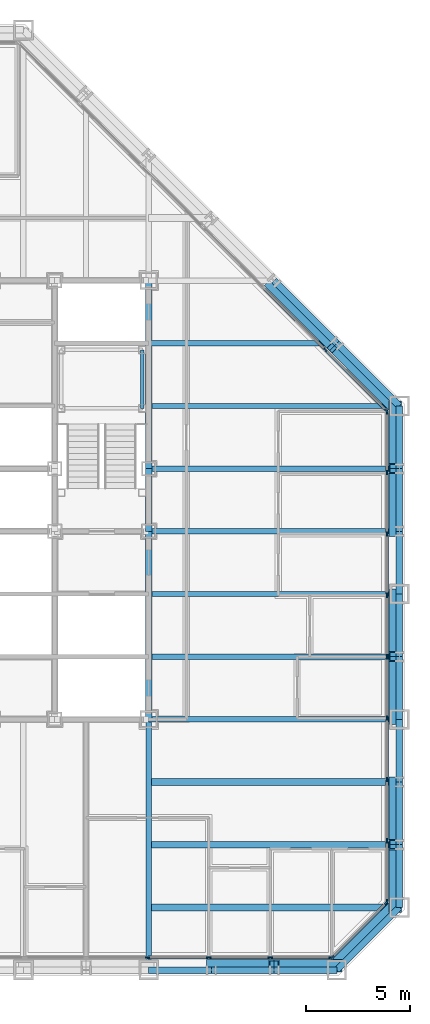
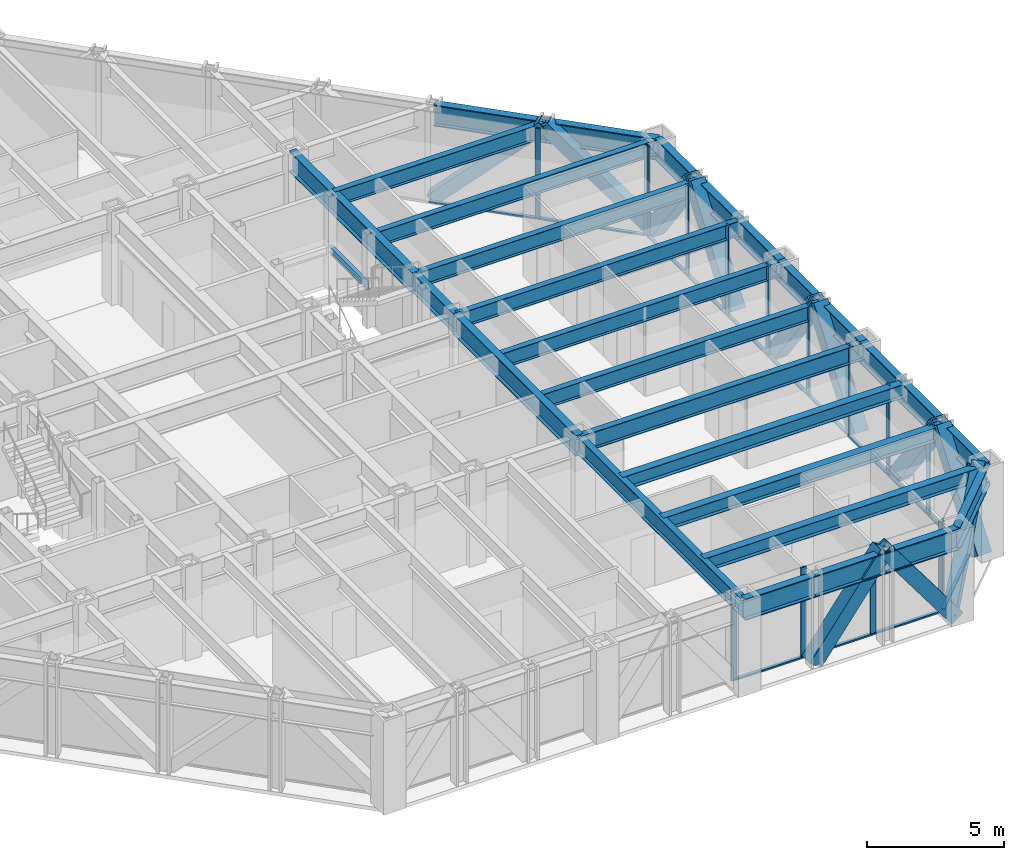
# One storey, part 6 of 16: 42 members, 29 beams, 4 elements without a shape of their own.
"""IFC4 building model written with IfcOpenShell, lengths in metres."""

from ifc_helpers import new_model, si_unit, direction, frame, origin, origin_2d, place, context, subcontext, project, spatial, rectangle, hollow_rectangle, i_section, extrude, material, layer, layer_set, material_profile, profile_set, type_object, element, aggregate, save


model = new_model("IFC4")

# Units and contexts
model_context = context("Model", 3, precision=1e-05, world=origin(), true_north=direction((0.0, 1.0)))
body_context = subcontext(model_context, "Body", "Model", "MODEL_VIEW")
ifc_project = project(units=[si_unit("LENGTHUNIT", "METRE"), si_unit("AREAUNIT", "SQUARE_METRE"), si_unit("VOLUMEUNIT", "CUBIC_METRE"), si_unit("PLANEANGLEUNIT", "RADIAN"), si_unit("MASSUNIT", "GRAM", prefix="KILO")], contexts=[model_context])

# Site, building, storey
site_placement = place(None, origin())
site = spatial("IfcSite", under=ifc_project, at=site_placement, CompositionType="ELEMENT")
building_placement = place(site_placement, origin())
building = spatial("IfcBuilding", under=site, at=building_placement, Name="Chuquiago Exchange Tower", CompositionType="ELEMENT")
storey_placement = place(building_placement, frame((0.0, 0.0, 123.60009765625)))
storey = spatial("IfcBuildingStorey", under=building, at=storey_placement, Name="L26", CompositionType="ELEMENT", Elevation=123.60009765625)

# Beams
ifc_material_1 = material(Name="Steel ASTM A992", Category="steel")
ifc_material_profile_1 = material_profile(ifc_material_1, i_section(OverallWidth=0.25390625, OverallDepth=0.683349609375, WebThickness=0.012451171875, FlangeThickness=0.018798828125, at=origin_2d()), Name="W27X94")
ifc_profile_set_1 = profile_set([ifc_material_profile_1], Name="Steel ASTM A992")
beam_type_1 = type_object("IfcBeamType", Name="B1 W27X94", PredefinedType="BEAM", material=ifc_profile_set_1)
for number, where, z_axis, x_axis, name in (
    (1, (33.0, 15.0, 3.6982421875), (1.0, 0.0, 0.0), (0.0, 1.0, 0.0), "FB-L27-infill-33_15-45_15-0"),
    (2, (33.0, 18.0, 3.6982421875), (1.0, 0.0, 0.0), (0.0, 1.0, 0.0), "FB-L27-infill-33_18-45_18-0"),
    (3, (33.0, 21.0, 3.6982421875), (1.0, 0.0, 0.0), (0.0, 1.0, 0.0), "FB-L27-infill-33_21-45_21-0"),
    (4, (33.0, 24.0, 3.6982421875), (1.0, 0.0, 0.0), (0.0, 1.0, 0.0), "FB-L27-infill-33_24-45_24-0"),
    (5, (33.0, 27.0, 3.6982421875), (1.0, 0.0, 0.0), (0.0, 1.0, 0.0), "FB-L27-infill-33_27-45_27-0"),
):
    element("IfcBeam", number, at=place(storey_placement, frame(where, z_axis=z_axis, x_axis=x_axis)), inside=storey, type_object=beam_type_1, Name=name, PredefinedType="BEAM", context=body_context, shape_type="SweptSolid", body=[
        extrude(i_section(OverallWidth=0.25390625, OverallDepth=0.683349609375, WebThickness=0.012451171875, FlangeThickness=0.018798828125, at=origin_2d()), origin(), (0.0, 0.0, 1.0), 12.0),
    ])
beam_1_placement = place(storey_placement, frame((33.0, 30.0, 3.6982421875), z_axis=(1.0, 0.0, 0.0), x_axis=(0.0, 1.0, 0.0)))
element("IfcBeam", 6, at=beam_1_placement, inside=storey, type_object=beam_type_1, Name="FB-L27-infill-33_30-42_30-0", PredefinedType="BEAM", context=body_context, shape_type="SweptSolid", body=[
    extrude(i_section(OverallWidth=0.25390625, OverallDepth=0.683349609375, WebThickness=0.012451171875, FlangeThickness=0.018798828125, at=origin_2d()), origin(), (0.0, 0.0, 1.0), 9.0),
])
ifc_material_2 = material(Name="Steel ASTM A992", Category="steel")
ifc_material_profile_2 = material_profile(ifc_material_2, i_section(OverallWidth=0.307373046875, OverallDepth=0.927001953125, WebThickness=0.01953125, FlangeThickness=0.031982421875, at=origin_2d()), Name="W36X194")
ifc_profile_set_2 = profile_set([ifc_material_profile_2], Name="Steel ASTM A992")
beam_type_2 = type_object("IfcBeamType", Name="B10 W36X194", PredefinedType="BEAM", material=ifc_profile_set_2)
for number, where, z_axis, x_axis, name in (
    (7, (33.0, 12.0, 3.576416015625), (0.0, 1.0, 0.0), (-1.0, 0.0, 0.0), "CB-L27-33_12-33_21"),
    (8, (33.0, 24.0, 3.576416015625), (0.0, 1.0, 0.0), (-1.0, 0.0, 0.0), "CB-L27-33_24-33_33"),
):
    element("IfcBeam", number, at=place(storey_placement, frame(where, z_axis=z_axis, x_axis=x_axis)), inside=storey, type_object=beam_type_2, Name=name, PredefinedType="BEAM", context=body_context, shape_type="SweptSolid", body=[
        extrude(i_section(OverallWidth=0.307373046875, OverallDepth=0.927001953125, WebThickness=0.01953125, FlangeThickness=0.031982421875, at=origin_2d()), origin(), (0.0, 0.0, 1.0), 9.0),
    ])
ifc_material_3 = material(Name="Steel ASTM A992", Category="steel")
ifc_material_profile_3 = material_profile(ifc_material_3, i_section(OverallWidth=0.3251953125, OverallDepth=0.612060546875, WebThickness=0.0126953125, FlangeThickness=0.01904296875, at=origin_2d()), Name="W24X104")
ifc_profile_set_3 = profile_set([ifc_material_profile_3], Name="Steel ASTM A992")
beam_type_3 = type_object("IfcBeamType", Name="B2 W24X104", PredefinedType="BEAM", material=ifc_profile_set_3)
for number, where, z_axis, x_axis, name in (
    (9, (33.0, 3.0, 3.73388671875), (1.0, 0.0, 0.0), (0.0, 1.0, 0.0), "FB-L27-corner-33_3-45_3-0"),
    (10, (33.0, 6.0, 3.73388671875), (1.0, 0.0, 0.0), (0.0, 1.0, 0.0), "FB-L27-corner-33_6-45_6-0"),
    (11, (33.0, 9.0, 3.73388671875), (1.0, 0.0, 0.0), (0.0, 1.0, 0.0), "FB-L27-corner-33_9-45_9-0"),
):
    element("IfcBeam", number, at=place(storey_placement, frame(where, z_axis=z_axis, x_axis=x_axis)), inside=storey, type_object=beam_type_3, Name=name, PredefinedType="BEAM", context=body_context, shape_type="SweptSolid", body=[
        extrude(i_section(OverallWidth=0.3251953125, OverallDepth=0.612060546875, WebThickness=0.0126953125, FlangeThickness=0.01904296875, at=origin_2d()), origin(), (0.0, 0.0, 1.0), 12.0),
    ])
ifc_material_4 = material(Name="Steel ASTM A992", Category="steel")
ifc_material_profile_4 = material_profile(ifc_material_4, i_section(OverallWidth=0.2919921875, OverallDepth=0.8583984375, WebThickness=0.01708984375, FlangeThickness=0.031005859375, at=origin_2d()), Name="W33X169")
ifc_profile_set_4 = profile_set([ifc_material_profile_4], Name="Steel ASTM A992")
beam_type_4 = type_object("IfcBeamType", Name="B3 W33X169", PredefinedType="BEAM", material=ifc_profile_set_4)
beam_2_placement = place(storey_placement, frame((33.0, 21.0, 3.610595703125), z_axis=(0.0, 1.0, 0.0), x_axis=(-1.0, 0.0, 0.0)))
element("IfcBeam", 12, at=beam_2_placement, inside=storey, type_object=beam_type_4, Name="CB-L27-33_21-33_24", PredefinedType="BEAM", context=body_context, shape_type="SweptSolid", body=[
    extrude(i_section(OverallWidth=0.2919921875, OverallDepth=0.8583984375, WebThickness=0.01708984375, FlangeThickness=0.031005859375, at=origin_2d()), origin(), (0.0, 0.0, 1.0), 3.0),
])

# Curtain wall, members
ifc_material_5 = material(Name="Aluminium curtain wall system", Category="aluminium")
ifc_layer_1 = layer(ifc_material_5, 0.22509765625)
ifc_layer_set_1 = layer_set([ifc_layer_1], Name="CW2 office curtain wall")
curtain_wall_type_1 = type_object("IfcCurtainWallType", Name="CW2 office curtain wall", PredefinedType="NOTDEFINED", material=ifc_layer_set_1)
curtain_wall_1_placement = place(storey_placement, origin())
curtain_wall_1 = element("IfcCurtainWall", 13, at=curtain_wall_1_placement, inside=storey, type_object=curtain_wall_type_1, Name="CW2 curtain wall L26", PredefinedType="NOTDEFINED")
ifc_material_6 = material(Name="Aluminium mullion, pale anodised", Category="aluminium")
ifc_material_profile_5 = material_profile(ifc_material_6, rectangle(XDim=0.06494140625, YDim=0.22509765625, at=origin_2d()), Name="AL 65x225")
ifc_profile_set_5 = profile_set([ifc_material_profile_5], Name="Aluminium mullion, pale anodised")
member_type_1 = type_object("IfcMemberType", Name="CW2-M mullion 65x225", PredefinedType="MULLION", material=ifc_profile_set_5)
member_1_placement = place(storey_placement, frame((32.93798828125, 0.60009765625, 0.0), z_axis=(0.0, 0.0, 1.0), x_axis=(0.0, 1.0, 0.0)))
member_1 = element("IfcMember", 14, at=member_1_placement, type_object=member_type_1, Name="CW2 mullion 6", PredefinedType="MULLION", context=body_context, shape_type="SweptSolid", body=[
    extrude(rectangle(XDim=0.06494140625, YDim=0.22509765625, at=origin_2d()), origin(), (0.0, 0.0, 1.0), 4.039794921875),
])
member_2_placement = place(storey_placement, frame((35.875732421875, 0.60009765625, 0.0), z_axis=(0.0, 0.0, 1.0), x_axis=(0.0, 1.0, 0.0)))
member_2 = element("IfcMember", 15, at=member_2_placement, type_object=member_type_1, Name="CW2 mullion 7", PredefinedType="MULLION", context=body_context, shape_type="SweptSolid", body=[
    extrude(rectangle(XDim=0.06494140625, YDim=0.22509765625, at=origin_2d()), origin(), (0.0, 0.0, 1.0), 4.039794921875),
])
member_3_placement = place(storey_placement, frame((38.813720703125, 0.60009765625, 0.0), z_axis=(0.0, 0.0, 1.0), x_axis=(0.0, 1.0, 0.0)))
member_3 = element("IfcMember", 16, at=member_3_placement, type_object=member_type_1, Name="CW2 mullion 8", PredefinedType="MULLION", context=body_context, shape_type="SweptSolid", body=[
    extrude(rectangle(XDim=0.06494140625, YDim=0.22509765625, at=origin_2d()), origin(), (0.0, 0.0, 1.0), 4.039794921875),
])
member_4_placement = place(storey_placement, frame((41.718994140625, 0.60009765625, 0.0), z_axis=(0.0, 0.0, 1.0), x_axis=(0.0, 1.0, 0.0)))
member_4 = element("IfcMember", 17, at=member_4_placement, type_object=member_type_1, Name="CW2 mullion 9", PredefinedType="MULLION", context=body_context, shape_type="SweptSolid", body=[
    extrude(rectangle(XDim=0.06494140625, YDim=0.22509765625, at=origin_2d()), origin(), (0.0, 0.0, 1.0), 4.039794921875),
])

curtain_wall_2_placement = place(storey_placement, origin())
curtain_wall_2 = element("IfcCurtainWall", 18, at=curtain_wall_2_placement, inside=storey, type_object=curtain_wall_type_1, Name="CW2 curtain wall L26", PredefinedType="NOTDEFINED")
member_5_placement = place(storey_placement, frame((44.39990234375, 3.281005859375, 0.0), z_axis=(0.0, 0.0, 1.0), x_axis=(-1.0, 0.0, 0.0)))
member_5 = element("IfcMember", 19, at=member_5_placement, type_object=member_type_1, Name="CW2 mullion 1", PredefinedType="MULLION", context=body_context, shape_type="SweptSolid", body=[
    extrude(rectangle(XDim=0.06494140625, YDim=0.22509765625, at=origin_2d()), origin(), (0.0, 0.0, 1.0), 4.039794921875),
])
member_6_placement = place(storey_placement, frame((44.39990234375, 6.186279296875, 0.0), z_axis=(0.0, 0.0, 1.0), x_axis=(-1.0, 0.0, 0.0)))
member_6 = element("IfcMember", 20, at=member_6_placement, type_object=member_type_1, Name="CW2 mullion 2", PredefinedType="MULLION", context=body_context, shape_type="SweptSolid", body=[
    extrude(rectangle(XDim=0.06494140625, YDim=0.22509765625, at=origin_2d()), origin(), (0.0, 0.0, 1.0), 4.039794921875),
])
member_7_placement = place(storey_placement, frame((44.39990234375, 9.124267578125, 0.0), z_axis=(0.0, 0.0, 1.0), x_axis=(-1.0, 0.0, 0.0)))
member_7 = element("IfcMember", 21, at=member_7_placement, type_object=member_type_1, Name="CW2 mullion 3", PredefinedType="MULLION", context=body_context, shape_type="SweptSolid", body=[
    extrude(rectangle(XDim=0.06494140625, YDim=0.22509765625, at=origin_2d()), origin(), (0.0, 0.0, 1.0), 4.039794921875),
])
member_8_placement = place(storey_placement, frame((44.39990234375, 12.06201171875, 0.0), z_axis=(0.0, 0.0, 1.0), x_axis=(-1.0, 0.0, 0.0)))
member_8 = element("IfcMember", 22, at=member_8_placement, type_object=member_type_1, Name="CW2 mullion 4", PredefinedType="MULLION", context=body_context, shape_type="SweptSolid", body=[
    extrude(rectangle(XDim=0.06494140625, YDim=0.22509765625, at=origin_2d()), origin(), (0.0, 0.0, 1.0), 4.039794921875),
])
member_9_placement = place(storey_placement, frame((44.39990234375, 15.0, 0.0), z_axis=(0.0, 0.0, 1.0), x_axis=(-1.0, 0.0, 0.0)))
member_9 = element("IfcMember", 23, at=member_9_placement, type_object=member_type_1, Name="CW2 mullion 5", PredefinedType="MULLION", context=body_context, shape_type="SweptSolid", body=[
    extrude(rectangle(XDim=0.06494140625, YDim=0.22509765625, at=origin_2d()), origin(), (0.0, 0.0, 1.0), 4.039794921875),
])
member_10_placement = place(storey_placement, frame((44.39990234375, 17.93798828125, 0.0), z_axis=(0.0, 0.0, 1.0), x_axis=(-1.0, 0.0, 0.0)))
member_10 = element("IfcMember", 24, at=member_10_placement, type_object=member_type_1, Name="CW2 mullion 6", PredefinedType="MULLION", context=body_context, shape_type="SweptSolid", body=[
    extrude(rectangle(XDim=0.06494140625, YDim=0.22509765625, at=origin_2d()), origin(), (0.0, 0.0, 1.0), 4.039794921875),
])
member_11_placement = place(storey_placement, frame((44.39990234375, 20.875732421875, 0.0), z_axis=(0.0, 0.0, 1.0), x_axis=(-1.0, 0.0, 0.0)))
member_11 = element("IfcMember", 25, at=member_11_placement, type_object=member_type_1, Name="CW2 mullion 7", PredefinedType="MULLION", context=body_context, shape_type="SweptSolid", body=[
    extrude(rectangle(XDim=0.06494140625, YDim=0.22509765625, at=origin_2d()), origin(), (0.0, 0.0, 1.0), 4.039794921875),
])
member_12_placement = place(storey_placement, frame((44.39990234375, 23.813720703125, 0.0), z_axis=(0.0, 0.0, 1.0), x_axis=(-1.0, 0.0, 0.0)))
member_12 = element("IfcMember", 26, at=member_12_placement, type_object=member_type_1, Name="CW2 mullion 8", PredefinedType="MULLION", context=body_context, shape_type="SweptSolid", body=[
    extrude(rectangle(XDim=0.06494140625, YDim=0.22509765625, at=origin_2d()), origin(), (0.0, 0.0, 1.0), 4.039794921875),
])
member_13_placement = place(storey_placement, frame((44.39990234375, 26.718994140625, 0.0), z_axis=(0.0, 0.0, 1.0), x_axis=(-1.0, 0.0, 0.0)))
member_13 = element("IfcMember", 27, at=member_13_placement, type_object=member_type_1, Name="CW2 mullion 9", PredefinedType="MULLION", context=body_context, shape_type="SweptSolid", body=[
    extrude(rectangle(XDim=0.06494140625, YDim=0.22509765625, at=origin_2d()), origin(), (0.0, 0.0, 1.0), 4.039794921875),
])

# Member
ifc_material_7 = material(Name="Aluminium transom, pale anodised", Category="aluminium")
ifc_material_profile_6 = material_profile(ifc_material_7, rectangle(XDim=0.139892578125, YDim=0.06494140625, at=origin_2d()), Name="AL 140x65")
ifc_profile_set_6 = profile_set([ifc_material_profile_6], Name="Aluminium transom, pale anodised")
member_type_2 = type_object("IfcMemberType", Name="CW2-T transom 65x140", PredefinedType="MULLION", material=ifc_profile_set_6)
member_14_placement = place(storey_placement, frame((32.970458984375, 0.60009765625, 0.032470703125), z_axis=(1.0, 0.0, 0.0), x_axis=(0.0, 1.0, 0.0)))
member_14 = element("IfcMember", 28, at=member_14_placement, type_object=member_type_2, Name="CW2 transom 6.1", PredefinedType="MULLION", context=body_context, shape_type="SweptSolid", body=[
    extrude(rectangle(XDim=0.139892578125, YDim=0.06494140625, at=origin_2d()), origin(), (0.0, 0.0, 1.0), 2.872802734375),
])

member_15_placement = place(storey_placement, frame((35.908203125, 0.60009765625, 0.032470703125), z_axis=(1.0, 0.0, 0.0), x_axis=(0.0, 1.0, 0.0)))
member_15 = element("IfcMember", 29, at=member_15_placement, type_object=member_type_2, Name="CW2 transom 7.1", PredefinedType="MULLION", context=body_context, shape_type="SweptSolid", body=[
    extrude(rectangle(XDim=0.139892578125, YDim=0.06494140625, at=origin_2d()), origin(), (0.0, 0.0, 1.0), 2.872802734375),
])

member_16_placement = place(storey_placement, frame((38.84619140625, 0.60009765625, 0.032470703125), z_axis=(1.0, 0.0, 0.0), x_axis=(0.0, 1.0, 0.0)))
member_16 = element("IfcMember", 30, at=member_16_placement, type_object=member_type_2, Name="CW2 transom 8.1", PredefinedType="MULLION", context=body_context, shape_type="SweptSolid", body=[
    extrude(rectangle(XDim=0.139892578125, YDim=0.06494140625, at=origin_2d()), origin(), (0.0, 0.0, 1.0), 2.84033203125),
])

aggregate(curtain_wall_1, [member_1, member_2, member_3, member_4, member_14, member_15, member_16])

member_17_placement = place(storey_placement, frame((44.39990234375, 3.3134765625, 0.032470703125), z_axis=(0.0, 1.0, 0.0), x_axis=(-1.0, 0.0, 0.0)))
member_17 = element("IfcMember", 31, at=member_17_placement, type_object=member_type_2, Name="CW2 transom 1.1", PredefinedType="MULLION", context=body_context, shape_type="SweptSolid", body=[
    extrude(rectangle(XDim=0.139892578125, YDim=0.06494140625, at=origin_2d()), origin(), (0.0, 0.0, 1.0), 2.84033203125),
])

member_18_placement = place(storey_placement, frame((44.39990234375, 6.218994140625, 0.032470703125), z_axis=(0.0, 1.0, 0.0), x_axis=(-1.0, 0.0, 0.0)))
member_18 = element("IfcMember", 32, at=member_18_placement, type_object=member_type_2, Name="CW2 transom 2.1", PredefinedType="MULLION", context=body_context, shape_type="SweptSolid", body=[
    extrude(rectangle(XDim=0.139892578125, YDim=0.06494140625, at=origin_2d()), origin(), (0.0, 0.0, 1.0), 2.872802734375),
])

member_19_placement = place(storey_placement, frame((44.39990234375, 9.15673828125, 0.032470703125), z_axis=(0.0, 1.0, 0.0), x_axis=(-1.0, 0.0, 0.0)))
member_19 = element("IfcMember", 33, at=member_19_placement, type_object=member_type_2, Name="CW2 transom 3.1", PredefinedType="MULLION", context=body_context, shape_type="SweptSolid", body=[
    extrude(rectangle(XDim=0.139892578125, YDim=0.06494140625, at=origin_2d()), origin(), (0.0, 0.0, 1.0), 2.872802734375),
])

member_20_placement = place(storey_placement, frame((44.39990234375, 12.0947265625, 0.032470703125), z_axis=(0.0, 1.0, 0.0), x_axis=(-1.0, 0.0, 0.0)))
member_20 = element("IfcMember", 34, at=member_20_placement, type_object=member_type_2, Name="CW2 transom 4.1", PredefinedType="MULLION", context=body_context, shape_type="SweptSolid", body=[
    extrude(rectangle(XDim=0.139892578125, YDim=0.06494140625, at=origin_2d()), origin(), (0.0, 0.0, 1.0), 2.872802734375),
])

member_21_placement = place(storey_placement, frame((44.39990234375, 15.032470703125, 0.032470703125), z_axis=(0.0, 1.0, 0.0), x_axis=(-1.0, 0.0, 0.0)))
member_21 = element("IfcMember", 35, at=member_21_placement, type_object=member_type_2, Name="CW2 transom 5.1", PredefinedType="MULLION", context=body_context, shape_type="SweptSolid", body=[
    extrude(rectangle(XDim=0.139892578125, YDim=0.06494140625, at=origin_2d()), origin(), (0.0, 0.0, 1.0), 2.872802734375),
])

member_22_placement = place(storey_placement, frame((44.39990234375, 17.970458984375, 0.032470703125), z_axis=(0.0, 1.0, 0.0), x_axis=(-1.0, 0.0, 0.0)))
member_22 = element("IfcMember", 36, at=member_22_placement, type_object=member_type_2, Name="CW2 transom 6.1", PredefinedType="MULLION", context=body_context, shape_type="SweptSolid", body=[
    extrude(rectangle(XDim=0.139892578125, YDim=0.06494140625, at=origin_2d()), origin(), (0.0, 0.0, 1.0), 2.872802734375),
])

member_23_placement = place(storey_placement, frame((44.39990234375, 20.908203125, 0.032470703125), z_axis=(0.0, 1.0, 0.0), x_axis=(-1.0, 0.0, 0.0)))
member_23 = element("IfcMember", 37, at=member_23_placement, type_object=member_type_2, Name="CW2 transom 7.1", PredefinedType="MULLION", context=body_context, shape_type="SweptSolid", body=[
    extrude(rectangle(XDim=0.139892578125, YDim=0.06494140625, at=origin_2d()), origin(), (0.0, 0.0, 1.0), 2.872802734375),
])

member_24_placement = place(storey_placement, frame((44.39990234375, 23.84619140625, 0.032470703125), z_axis=(0.0, 1.0, 0.0), x_axis=(-1.0, 0.0, 0.0)))
member_24 = element("IfcMember", 38, at=member_24_placement, type_object=member_type_2, Name="CW2 transom 8.1", PredefinedType="MULLION", context=body_context, shape_type="SweptSolid", body=[
    extrude(rectangle(XDim=0.139892578125, YDim=0.06494140625, at=origin_2d()), origin(), (0.0, 0.0, 1.0), 2.84033203125),
])

aggregate(curtain_wall_2, [member_5, member_6, member_7, member_8, member_9, member_10, member_11, member_12, member_13, member_17, member_18, member_19, member_20, member_21, member_22, member_23, member_24])

# Curtain wall, members
ifc_material_8 = material(Name="Aluminium curtain wall system", Category="aluminium")
ifc_layer_2 = layer(ifc_material_8, 0.199951171875)
ifc_layer_set_2 = layer_set([ifc_layer_2], Name="CW3 facet curtain wall")
curtain_wall_type_2 = type_object("IfcCurtainWallType", Name="CW3 facet curtain wall", PredefinedType="NOTDEFINED", material=ifc_layer_set_2)
curtain_wall_3_placement = place(storey_placement, origin())
curtain_wall_3 = element("IfcCurtainWall", 39, at=curtain_wall_3_placement, inside=storey, type_object=curtain_wall_type_2, Name="CW3 curtain wall L26", PredefinedType="NOTDEFINED")
ifc_material_9 = material(Name="Aluminium mullion, pale anodised", Category="aluminium")
ifc_material_profile_7 = material_profile(ifc_material_9, rectangle(XDim=0.06494140625, YDim=0.199951171875, at=origin_2d()), Name="AL 65x200")
ifc_profile_set_7 = profile_set([ifc_material_profile_7], Name="Aluminium mullion, pale anodised")
member_type_3 = type_object("IfcMemberType", Name="CW3-M mullion 65x200", PredefinedType="MULLION", material=ifc_profile_set_7)
member_25_placement = place(storey_placement, frame((41.7744140625, 0.623046875, 0.0), z_axis=(0.0, 0.0, 1.0), x_axis=(-0.707106781187, 0.707106781187, 0.0)))
member_25 = element("IfcMember", 40, at=member_25_placement, type_object=member_type_3, Name="CW3 mullion 1", PredefinedType="MULLION", context=body_context, shape_type="SweptSolid", body=[
    extrude(rectangle(XDim=0.06494140625, YDim=0.199951171875, at=origin_2d()), origin(), (0.0, 0.0, 1.0), 4.039794921875),
])
member_26_placement = place(storey_placement, frame((44.376953125, 3.2255859375, 0.0), z_axis=(0.0, 0.0, 1.0), x_axis=(-0.707106781187, 0.707106781187, 0.0)))
member_26 = element("IfcMember", 41, at=member_26_placement, type_object=member_type_3, Name="CW3 mullion 2", PredefinedType="MULLION", context=body_context, shape_type="SweptSolid", body=[
    extrude(rectangle(XDim=0.06494140625, YDim=0.199951171875, at=origin_2d()), origin(), (0.0, 0.0, 1.0), 4.039794921875),
])

curtain_wall_4_placement = place(storey_placement, origin())
curtain_wall_4 = element("IfcCurtainWall", 42, at=curtain_wall_4_placement, inside=storey, type_object=curtain_wall_type_2, Name="CW3 curtain wall L26", PredefinedType="NOTDEFINED")
member_27_placement = place(storey_placement, frame((44.376953125, 26.7744140625, 0.0), z_axis=(0.0, 0.0, 1.0), x_axis=(-0.707106781187, -0.707106781187, 0.0)))
member_27 = element("IfcMember", 43, at=member_27_placement, type_object=member_type_3, Name="CW3 mullion 1", PredefinedType="MULLION", context=body_context, shape_type="SweptSolid", body=[
    extrude(rectangle(XDim=0.06494140625, YDim=0.199951171875, at=origin_2d()), origin(), (0.0, 0.0, 1.0), 4.039794921875),
])
member_28_placement = place(storey_placement, frame((41.45849609375, 29.69287109375, 0.0), z_axis=(0.0, 0.0, 1.0), x_axis=(-0.707106781187, -0.707106781187, 0.0)))
member_28 = element("IfcMember", 44, at=member_28_placement, type_object=member_type_3, Name="CW3 mullion 2", PredefinedType="MULLION", context=body_context, shape_type="SweptSolid", body=[
    extrude(rectangle(XDim=0.06494140625, YDim=0.199951171875, at=origin_2d()), origin(), (0.0, 0.0, 1.0), 4.039794921875),
])

# Member
ifc_material_10 = material(Name="Aluminium transom, pale anodised", Category="aluminium")
ifc_material_profile_8 = material_profile(ifc_material_10, rectangle(XDim=0.139892578125, YDim=0.06494140625, at=origin_2d()), Name="AL 140x65")
ifc_profile_set_8 = profile_set([ifc_material_profile_8], Name="Aluminium transom, pale anodised")
member_type_4 = type_object("IfcMemberType", Name="CW3-T transom 65x140", PredefinedType="MULLION", material=ifc_profile_set_8)
member_29_placement = place(storey_placement, frame((41.79736328125, 0.64599609375, 0.032470703125), z_axis=(0.707106781187, 0.707106781187, 0.0), x_axis=(-0.707106781187, 0.707106781187, 0.0)))
member_29 = element("IfcMember", 45, at=member_29_placement, type_object=member_type_4, Name="CW3 transom 1.1", PredefinedType="MULLION", context=body_context, shape_type="SweptSolid", body=[
    extrude(rectangle(XDim=0.139892578125, YDim=0.06494140625, at=origin_2d()), origin(), (0.0, 0.0, 1.0), 3.61572265625),
])

aggregate(curtain_wall_3, [member_25, member_26, member_29])

member_30_placement = place(storey_placement, frame((44.35400390625, 26.79736328125, 0.032470703125), z_axis=(-0.707106781187, 0.707106781187, 0.0), x_axis=(-0.707106781187, -0.707106781187, 0.0)))
member_30 = element("IfcMember", 46, at=member_30_placement, type_object=member_type_4, Name="CW3 transom 1.1", PredefinedType="MULLION", context=body_context, shape_type="SweptSolid", body=[
    extrude(rectangle(XDim=0.139892578125, YDim=0.06494140625, at=origin_2d()), origin(), (0.0, 0.0, 1.0), 4.0625),
])

member_31_placement = place(storey_placement, frame((41.435546875, 29.7158203125, 0.032470703125), z_axis=(-0.707106781187, 0.707106781187, 0.0), x_axis=(-0.707106781187, -0.707106781187, 0.0)))
member_31 = element("IfcMember", 47, at=member_31_placement, type_object=member_type_4, Name="CW3 transom 2.1", PredefinedType="MULLION", context=body_context, shape_type="SweptSolid", body=[
    extrude(rectangle(XDim=0.139892578125, YDim=0.06494140625, at=origin_2d()), origin(), (0.0, 0.0, 1.0), 4.094970703125),
])

aggregate(curtain_wall_4, [member_27, member_28, member_30, member_31])

# Beams
ifc_material_11 = material(Name="Steel ASTM A992", Category="steel")
ifc_material_profile_9 = material_profile(ifc_material_11, i_section(OverallWidth=0.2666015625, OverallDepth=0.76953125, WebThickness=0.015625, FlangeThickness=0.025390625, at=origin_2d()), Name="W30X132")
ifc_profile_set_9 = profile_set([ifc_material_profile_9], Name="Steel ASTM A992")
beam_type_5 = type_object("IfcBeamType", Name="G1 W30X132", PredefinedType="BEAM", material=ifc_profile_set_9)
for number, where, z_axis, x_axis, name in (
    (48, (33.0, 12.0, 3.655029296875), (0.0, -1.0, 0.0), (1.0, 0.0, 0.0), "FB-L27-girder-33_12-33_-0-0"),
    (49, (33.0, 12.0, 3.655029296875), (1.0, 0.0, 0.0), (0.0, 1.0, 0.0), "FB-L27-girder-33_12-45_12-0"),
):
    element("IfcBeam", number, at=place(storey_placement, frame(where, z_axis=z_axis, x_axis=x_axis)), inside=storey, type_object=beam_type_5, Name=name, PredefinedType="BEAM", context=body_context, shape_type="SweptSolid", body=[
        extrude(i_section(OverallWidth=0.2666015625, OverallDepth=0.76953125, WebThickness=0.015625, FlangeThickness=0.025390625, at=origin_2d()), origin(), (0.0, 0.0, 1.0), 12.0),
    ])

# Members
ifc_material_12 = material(Name="Steel ASTM A500 Grade C", Category="steel")
ifc_material_profile_10 = material_profile(ifc_material_12, hollow_rectangle(XDim=0.508056640625, YDim=0.508056640625, WallThickness=0.017822265625, at=origin_2d()), Name="HSS20X20X3/4")
ifc_profile_set_10 = profile_set([ifc_material_profile_10], Name="Steel ASTM A500 Grade C")
member_type_5 = type_object("IfcMemberType", Name="LB1 HSS20X20X3/4", PredefinedType="BRACE", material=ifc_profile_set_10)
for number, where, z_axis, x_axis, name in (
    (50, (41.822509765625, 0.177490234375, 0.0), (0.51209198167, 0.51209198167, 0.689582195694), (-0.707106781187, 0.707106781187, 0.0), "LB-L26-42_0-45_3"),
    (51, (44.822509765625, 26.822509765625, 0.0), (-0.51209198167, 0.51209198167, 0.689582195694), (-0.707106781187, -0.707106781187, 0.0), "LB-L26-45_27-42_30"),
    (52, (38.822509765625, 32.822509765625, 0.0), (0.51209198167, -0.51209198167, 0.689582195694), (0.707106781187, 0.707106781187, 0.0), "LB-L26-42_30-39_33"),
):
    element("IfcMember", number, at=place(storey_placement, frame(where, z_axis=z_axis, x_axis=x_axis)), inside=storey, type_object=member_type_5, Name=name, PredefinedType="BRACE", context=body_context, shape_type="SweptSolid", body=[
        extrude(hollow_rectangle(XDim=0.508056640625, YDim=0.508056640625, WallThickness=0.017822265625, at=origin_2d()), origin(), (0.0, 0.0, 1.0), 5.8583984375),
    ])

# Beam
ifc_material_13 = material(Name="Steel ASTM A992", Category="steel")
ifc_material_profile_11 = material_profile(ifc_material_13, i_section(OverallWidth=0.164794921875, OverallDepth=0.309814453125, WebThickness=0.005859375, FlangeThickness=0.009765625, at=origin_2d()), Name="W12X26")
ifc_profile_set_11 = profile_set([ifc_material_profile_11], Name="Steel ASTM A992")
beam_type_6 = type_object("IfcBeamType", Name="LS1 W12X26", PredefinedType="BEAM", material=ifc_profile_set_11)
beam_3_placement = place(storey_placement, frame((32.68994140625, 26.889892578125, 1.7451171875), z_axis=(0.0, 1.0, 0.0), x_axis=(-1.0, 0.0, 0.0)))
element("IfcBeam", 53, at=beam_3_placement, inside=storey, type_object=beam_type_6, Name="Stair ST2 L26 landing 1 stringer", PredefinedType="BEAM", context=body_context, shape_type="SweptSolid", body=[
    extrude(i_section(OverallWidth=0.164794921875, OverallDepth=0.309814453125, WebThickness=0.005859375, FlangeThickness=0.009765625, at=origin_2d()), origin(), (0.0, 0.0, 1.0), 2.800048828125),
])

# Members
ifc_material_14 = material(Name="Steel ASTM A572 Grade 50", Category="steel")
ifc_material_profile_12 = material_profile(ifc_material_14, hollow_rectangle(XDim=0.60009765625, YDim=0.60009765625, WallThickness=0.06005859375, at=origin_2d()), Name="BOX600X600X60")
ifc_profile_set_12 = profile_set([ifc_material_profile_12], Name="Steel ASTM A572 Grade 50")
member_type_6 = type_object("IfcMemberType", Name="MB2 BOX600X600X60", PredefinedType="BRACE", material=ifc_profile_set_12)
for number, where, z_axis, x_axis, name in (
    (54, (36.0, 0.205078125, 0.0), (0.596197146086, 0.0, 0.802838067732), (0.0, 1.0, 0.0), "Mega diagonal L26 S face"),
    (55, (42.0, 0.205078125, 0.0), (-0.596197146086, 0.0, 0.802838067732), (0.0, -1.0, 0.0), "Mega diagonal L26 S face"),
    (56, (44.794921875, 3.0, 0.0), (0.0, 0.596197146086, 0.802838067732), (-1.0, 0.0, 0.0), "Mega diagonal L26 E face"),
    (57, (44.794921875, 9.0, 0.0), (0.0, -0.596197146086, 0.802838067732), (1.0, 0.0, 0.0), "Mega diagonal L26 E face"),
    (58, (44.794921875, 12.0, 0.0), (0.0, 0.596197146086, 0.802838067732), (-1.0, 0.0, 0.0), "Mega diagonal L26 E face"),
    (59, (44.794921875, 18.0, 0.0), (0.0, -0.596197146086, 0.802838067732), (1.0, 0.0, 0.0), "Mega diagonal L26 E face"),
    (60, (44.794921875, 21.0, 0.0), (0.0, 0.596197146086, 0.802838067732), (-1.0, 0.0, 0.0), "Mega diagonal L26 E face"),
    (61, (44.794921875, 27.0, 0.0), (0.0, -0.596197146086, 0.802838067732), (1.0, 0.0, 0.0), "Mega diagonal L26 E face"),
):
    element("IfcMember", number, at=place(storey_placement, frame(where, z_axis=z_axis, x_axis=x_axis)), inside=storey, type_object=member_type_6, Name=name, PredefinedType="BRACE", context=body_context, shape_type="SweptSolid", body=[
        extrude(hollow_rectangle(XDim=0.60009765625, YDim=0.60009765625, WallThickness=0.06005859375, at=origin_2d()), origin(), (0.0, 0.0, 1.0), 5.031982421875),
    ])

# Beams
ifc_material_15 = material(Name="Steel ASTM A992", Category="steel")
ifc_material_profile_13 = material_profile(ifc_material_15, i_section(OverallWidth=0.309814453125, OverallDepth=0.949951171875, WebThickness=0.0244140625, FlangeThickness=0.0439453125, at=origin_2d()), Name="W36X256")
ifc_profile_set_13 = profile_set([ifc_material_profile_13], Name="Steel ASTM A992")
beam_type_7 = type_object("IfcBeamType", Name="SP2 W36X256", PredefinedType="SPANDREL", material=ifc_profile_set_13)
for number, where, z_axis, x_axis, name in (
    (62, (33.0, 0.0, 3.56494140625), (1.0, 0.0, 0.0), (0.0, 1.0, 0.0), "SPB-L27-33_0-36_0"),
    (63, (36.0, 0.0, 3.56494140625), (1.0, 0.0, 0.0), (0.0, 1.0, 0.0), "SPB-L27-36_0-39_0"),
    (64, (39.0, 0.0, 3.56494140625), (1.0, 0.0, 0.0), (0.0, 1.0, 0.0), "SPB-L27-39_0-42_0"),
):
    element("IfcBeam", number, at=place(storey_placement, frame(where, z_axis=z_axis, x_axis=x_axis)), inside=storey, type_object=beam_type_7, Name=name, PredefinedType="SPANDREL", context=body_context, shape_type="SweptSolid", body=[
        extrude(i_section(OverallWidth=0.309814453125, OverallDepth=0.949951171875, WebThickness=0.0244140625, FlangeThickness=0.0439453125, at=origin_2d()), origin(), (0.0, 0.0, 1.0), 3.0),
    ])
beam_4_placement = place(storey_placement, frame((42.0, 0.0, 3.56494140625), z_axis=(0.707106781187, 0.707106781187, 0.0), x_axis=(-0.707106781187, 0.707106781187, 0.0)))
element("IfcBeam", 65, at=beam_4_placement, inside=storey, type_object=beam_type_7, Name="SPB-L27-42_0-45_3", PredefinedType="SPANDREL", context=body_context, shape_type="SweptSolid", body=[
    extrude(i_section(OverallWidth=0.309814453125, OverallDepth=0.949951171875, WebThickness=0.0244140625, FlangeThickness=0.0439453125, at=origin_2d()), origin(), (0.0, 0.0, 1.0), 4.24267578125),
])
for number, where, z_axis, x_axis, name in (
    (66, (45.0, 3.0, 3.56494140625), (0.0, 1.0, 0.0), (-1.0, 0.0, 0.0), "SPB-L27-45_3-45_6"),
    (67, (45.0, 6.0, 3.56494140625), (0.0, 1.0, 0.0), (-1.0, 0.0, 0.0), "SPB-L27-45_6-45_9"),
    (68, (45.0, 9.0, 3.56494140625), (0.0, 1.0, 0.0), (-1.0, 0.0, 0.0), "SPB-L27-45_9-45_12"),
    (69, (45.0, 12.0, 3.56494140625), (0.0, 1.0, 0.0), (-1.0, 0.0, 0.0), "SPB-L27-45_12-45_15"),
    (70, (45.0, 15.0, 3.56494140625), (0.0, 1.0, 0.0), (-1.0, 0.0, 0.0), "SPB-L27-45_15-45_18"),
    (71, (45.0, 18.0, 3.56494140625), (0.0, 1.0, 0.0), (-1.0, 0.0, 0.0), "SPB-L27-45_18-45_21"),
    (72, (45.0, 21.0, 3.56494140625), (0.0, 1.0, 0.0), (-1.0, 0.0, 0.0), "SPB-L27-45_21-45_24"),
    (73, (45.0, 24.0, 3.56494140625), (0.0, 1.0, 0.0), (-1.0, 0.0, 0.0), "SPB-L27-45_24-45_27"),
):
    element("IfcBeam", number, at=place(storey_placement, frame(where, z_axis=z_axis, x_axis=x_axis)), inside=storey, type_object=beam_type_7, Name=name, PredefinedType="SPANDREL", context=body_context, shape_type="SweptSolid", body=[
        extrude(i_section(OverallWidth=0.309814453125, OverallDepth=0.949951171875, WebThickness=0.0244140625, FlangeThickness=0.0439453125, at=origin_2d()), origin(), (0.0, 0.0, 1.0), 3.0),
    ])
for number, where, z_axis, x_axis, name in (
    (74, (45.0, 27.0, 3.56494140625), (-0.707106781187, 0.707106781187, 0.0), (-0.707106781187, -0.707106781187, 0.0), "SPB-L27-45_27-42_30"),
    (75, (42.0, 30.0, 3.56494140625), (-0.707106781187, 0.707106781187, 0.0), (-0.707106781187, -0.707106781187, 0.0), "SPB-L27-42_30-39_33"),
):
    element("IfcBeam", number, at=place(storey_placement, frame(where, z_axis=z_axis, x_axis=x_axis)), inside=storey, type_object=beam_type_7, Name=name, PredefinedType="SPANDREL", context=body_context, shape_type="SweptSolid", body=[
        extrude(i_section(OverallWidth=0.309814453125, OverallDepth=0.949951171875, WebThickness=0.0244140625, FlangeThickness=0.0439453125, at=origin_2d()), origin(), (0.0, 0.0, 1.0), 4.24267578125),
    ])

save(model, "model.ifc")
